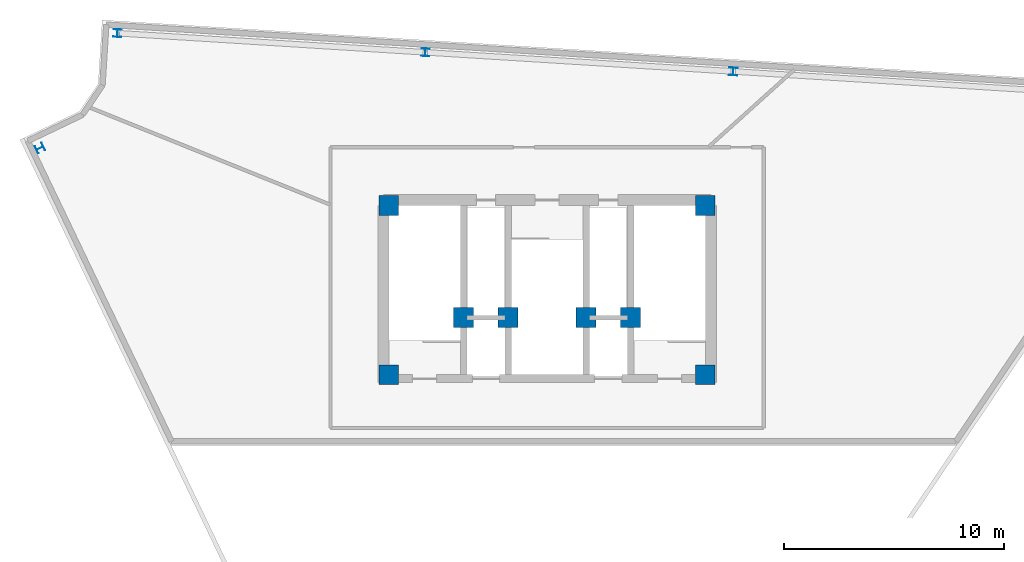
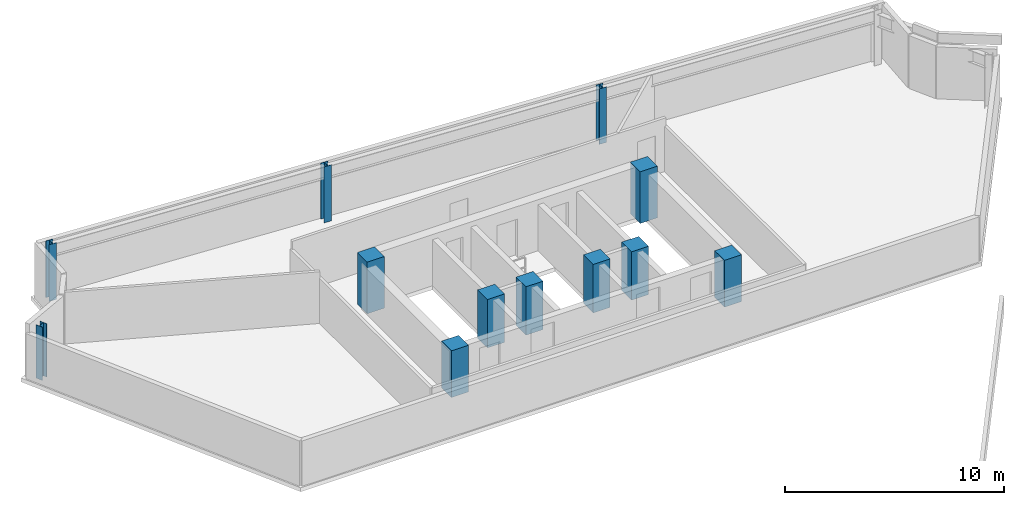
# One storey, part 1 of 4: 12 columns.
"""IFC4 building model written with IfcOpenShell, lengths in metres."""

from ifc_helpers import new_model, si_unit, direction, frame, origin, origin_2d, place, context, subcontext, project, spatial, rectangle, i_section, extrude, material, material_profile, profile_set, type_object, element, save


model = new_model("IFC4")

# Units and contexts
model_context = context("Model", 3, precision=1e-05, world=origin(), true_north=direction((0.0, 1.0)))
body_context = subcontext(model_context, "Body", "Model", "MODEL_VIEW")
ifc_project = project(units=[si_unit("LENGTHUNIT", "METRE"), si_unit("AREAUNIT", "SQUARE_METRE"), si_unit("VOLUMEUNIT", "CUBIC_METRE"), si_unit("PLANEANGLEUNIT", "RADIAN"), si_unit("MASSUNIT", "GRAM", prefix="KILO")], contexts=[model_context])

# Site, building, storey
site_placement = place(None, origin())
site = spatial("IfcSite", under=ifc_project, at=site_placement, CompositionType="ELEMENT")
building_placement = place(site_placement, origin())
building = spatial("IfcBuilding", under=site, at=building_placement, Name="Apsidion Concourse Tower", CompositionType="ELEMENT")
storey_placement = place(building_placement, frame((0.0, 0.0, 346.5)))
storey = spatial("IfcBuildingStorey", under=building, at=storey_placement, Name="L82", CompositionType="ELEMENT", Elevation=346.5)

# Columns
ifc_material_1 = material(Name="Concrete C50/60", Category="concrete")
ifc_material_profile_1 = material_profile(ifc_material_1, rectangle(XDim=0.89990234375, YDim=0.89990234375, at=origin_2d()), Name="RC 900x900")
ifc_profile_set_1 = profile_set([ifc_material_profile_1], Name="Concrete C50/60")
column_type_1 = type_object("IfcColumnType", Name="COL-RC-900", PredefinedType="COLUMN", material=ifc_profile_set_1)
column_1_placement = place(storey_placement, frame((7.199951171875, 1.449951171875, 0.0), z_axis=(0.0, 0.0, 1.0), x_axis=(1.0, 0.0, 0.0)))
element("IfcColumn", 1, at=column_1_placement, inside=storey, type_object=column_type_1, Name="L82 Core Super-Column SC3", PredefinedType="COLUMN", context=body_context, shape_type="SweptSolid", body=[
    extrude(rectangle(XDim=0.89990234375, YDim=0.89990234375, at=origin_2d()), origin(), (0.0, 0.0, 1.0), 2.60791015625),
])
for number, where, z_axis, x_axis, name in (
    (2, (7.199951171875, 9.14990234375, 0.0), (0.0, 0.0, 1.0), (1.0, 0.0, 0.0), "L82 Core Super-Column SC4"),
    (3, (-7.199951171875, 9.14990234375, 0.0), (0.0, 0.0, 1.0), (1.0, 0.0, 0.0), "L82 Core Super-Column SC5"),
):
    element("IfcColumn", number, at=place(storey_placement, frame(where, z_axis=z_axis, x_axis=x_axis)), inside=storey, type_object=column_type_1, Name=name, PredefinedType="COLUMN", context=body_context, shape_type="SweptSolid", body=[
        extrude(rectangle(XDim=0.89990234375, YDim=0.89990234375, at=origin_2d()), origin(), (0.0, 0.0, 1.0), 2.880126953125),
    ])
column_2_placement = place(storey_placement, frame((-7.199951171875, 1.449951171875, 0.0), z_axis=(0.0, 0.0, 1.0), x_axis=(1.0, 0.0, 0.0)))
element("IfcColumn", 4, at=column_2_placement, inside=storey, type_object=column_type_1, Name="L82 Core Super-Column SC6", PredefinedType="COLUMN", context=body_context, shape_type="SweptSolid", body=[
    extrude(rectangle(XDim=0.89990234375, YDim=0.89990234375, at=origin_2d()), origin(), (0.0, 0.0, 1.0), 2.60791015625),
])
for number, where, z_axis, x_axis, name in (
    (5, (-3.800048828125, 4.050048828125, 0.0), (0.0, 0.0, 1.0), (1.0, 0.0, 0.0), "L82 Core Super-Column CC1"),
    (6, (3.800048828125, 4.050048828125, 0.0), (0.0, 0.0, 1.0), (1.0, 0.0, 0.0), "L82 Core Super-Column CC2"),
    (7, (-1.77490234375, 4.050048828125, 0.0), (0.0, 0.0, 1.0), (1.0, 0.0, 0.0), "L82 Core Super-Column CC3"),
    (8, (1.77490234375, 4.050048828125, 0.0), (0.0, 0.0, 1.0), (1.0, 0.0, 0.0), "L82 Core Super-Column CC4"),
):
    element("IfcColumn", number, at=place(storey_placement, frame(where, z_axis=z_axis, x_axis=x_axis)), inside=storey, type_object=column_type_1, Name=name, PredefinedType="COLUMN", context=body_context, shape_type="SweptSolid", body=[
        extrude(rectangle(XDim=0.89990234375, YDim=0.89990234375, at=origin_2d()), origin(), (0.0, 0.0, 1.0), 2.69970703125),
    ])
ifc_material_2 = material(Name="Structural steel ASTM A992 Grade 50", Category="steel")
ifc_material_profile_2 = material_profile(ifc_material_2, i_section(OverallWidth=0.367919921875, OverallDepth=0.35595703125, WebThickness=0.01123046875, FlangeThickness=0.01806640625, at=origin_2d()), Name="W14X90")
ifc_profile_set_2 = profile_set([ifc_material_profile_2], Name="Structural steel ASTM A992 Grade 50")
column_type_2 = type_object("IfcColumnType", Name="COL-W14-90", PredefinedType="COLUMN", material=ifc_profile_set_2)
column_3_placement = place(storey_placement, frame((-23.0732421875, 11.758544921875, 0.0), z_axis=(0.0, 0.0, 1.0), x_axis=(-0.431298587031, 0.902209248913, 0.0)))
element("IfcColumn", 9, at=column_3_placement, inside=storey, type_object=column_type_2, Name="L82 Rotated Perimeter Column PC01", PredefinedType="COLUMN", context=body_context, shape_type="SweptSolid", body=[
    extrude(i_section(OverallWidth=0.367919921875, OverallDepth=0.35595703125, WebThickness=0.01123046875, FlangeThickness=0.01806640625, at=origin_2d()), origin(), (0.0, 0.0, 1.0), 2.972412109375),
])
column_4_placement = place(storey_placement, frame((8.469482421875, 15.24853515625, 0.0), z_axis=(0.0, 0.0, 1.0), x_axis=(-0.998081143466, 0.061919553109, 0.0)))
element("IfcColumn", 10, at=column_4_placement, inside=storey, type_object=column_type_2, Name="L82 Rotated Perimeter Column PC10", PredefinedType="COLUMN", context=body_context, shape_type="SweptSolid", body=[
    extrude(i_section(OverallWidth=0.367919921875, OverallDepth=0.35595703125, WebThickness=0.01123046875, FlangeThickness=0.01806640625, at=origin_2d()), origin(), (0.0, 0.0, 1.0), 3.095703125),
])
column_5_placement = place(storey_placement, frame((-5.5380859375, 16.118408203125, 0.0), z_axis=(0.0, 0.0, 1.0), x_axis=(-0.998081143466, 0.061919553109, 0.0)))
element("IfcColumn", 11, at=column_5_placement, inside=storey, type_object=column_type_2, Name="L82 Rotated Perimeter Column PC11", PredefinedType="COLUMN", context=body_context, shape_type="SweptSolid", body=[
    extrude(i_section(OverallWidth=0.367919921875, OverallDepth=0.35595703125, WebThickness=0.01123046875, FlangeThickness=0.01806640625, at=origin_2d()), origin(), (0.0, 0.0, 1.0), 3.12646484375),
])
column_6_placement = place(storey_placement, frame((-19.5458984375, 16.98828125, 0.0), z_axis=(0.0, 0.0, 1.0), x_axis=(-0.998081143466, 0.061919553109, 0.0)))
element("IfcColumn", 12, at=column_6_placement, inside=storey, type_object=column_type_2, Name="L82 Rotated Perimeter Column PC12", PredefinedType="COLUMN", context=body_context, shape_type="SweptSolid", body=[
    extrude(i_section(OverallWidth=0.367919921875, OverallDepth=0.35595703125, WebThickness=0.01123046875, FlangeThickness=0.01806640625, at=origin_2d()), origin(), (0.0, 0.0, 1.0), 3.1572265625),
])

save(model, "model.ifc")
